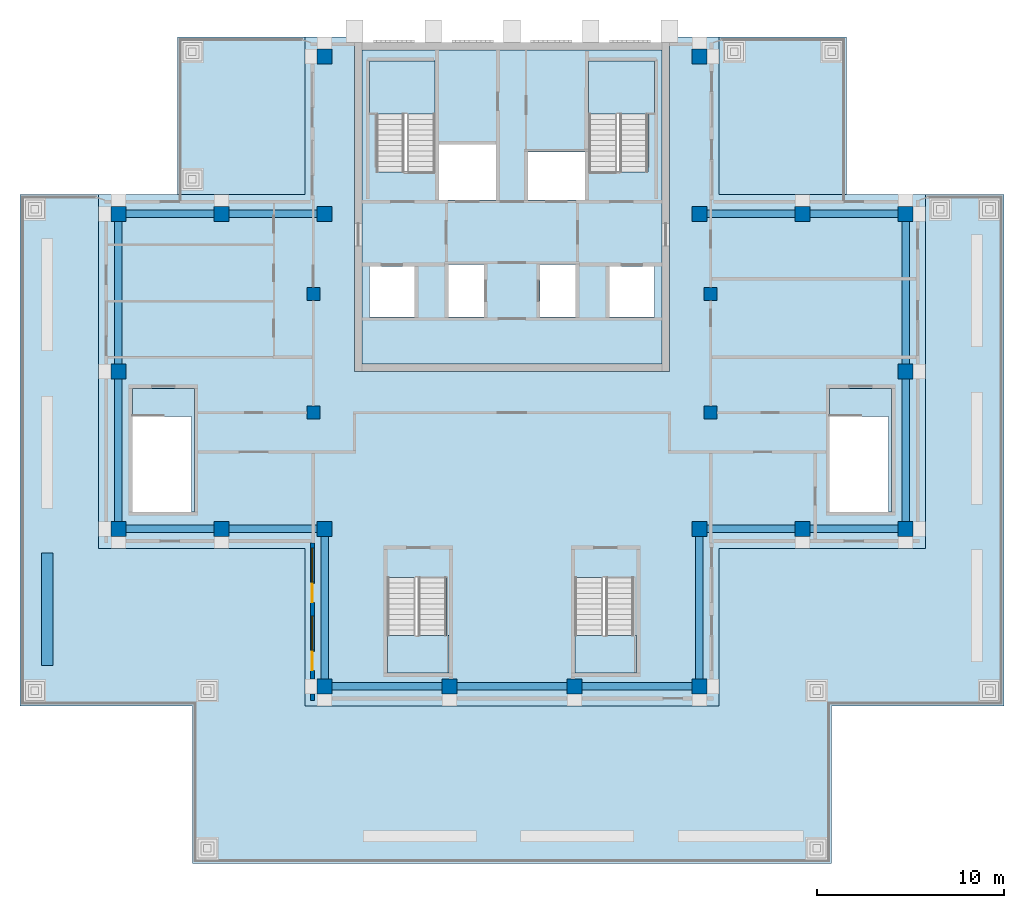
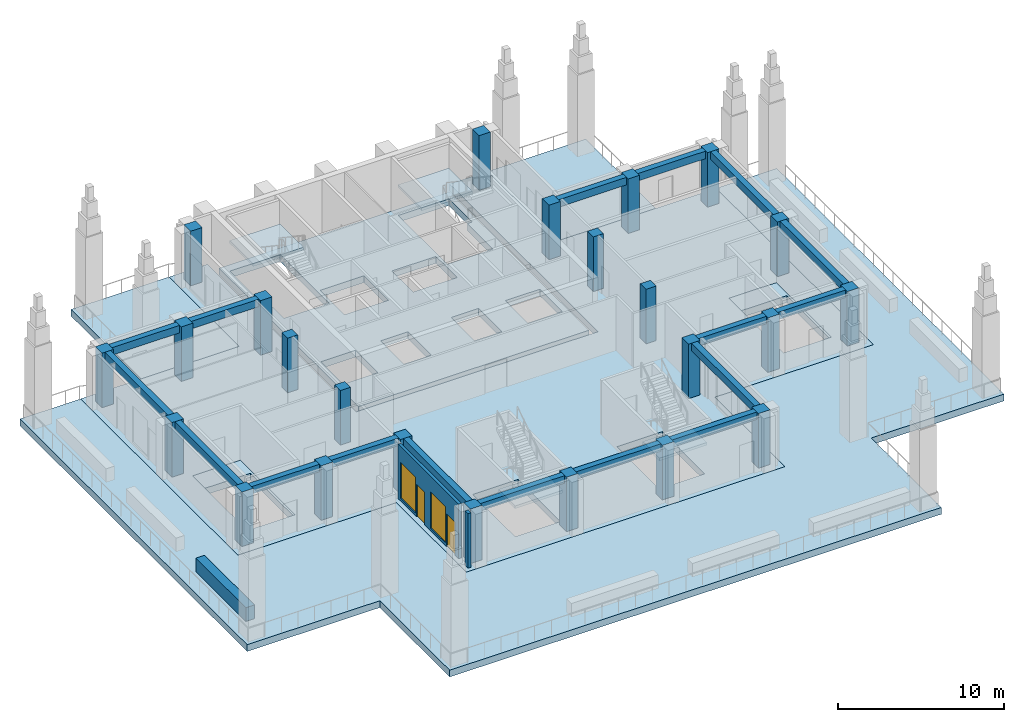
# One storey, part 1 of 10: 24 columns, 17 beams, 11 slabs, 3 walls, 2 doors, 2 windows, 4 openings, 4 elements without a shape of their own.
"""IFC4 building model written with IfcOpenShell, lengths in metres."""

import ifcopenshell
import ifcopenshell.guid

model = None  # the IFC model being written
_history = None  # IfcOwnerHistory: only IFC2X3 demands one
_inside = {}  # id of a spatial element -> (the spatial element, [elements in it])
_under = {}  # id of a project, library or spatial element -> (it, [spatial elements below it])
_declared = {}  # id of a project -> (the project, [libraries it declares])
_typed = {}  # id of a type object -> (the type object, [elements of that type])
_made_of = {}  # id of a material, layer set ... -> (it, [elements and type objects made of it])


def new_model(schema):
    """Start an empty IFC model of exactly this schema.

    Asked for "IFC4X3", IfcOpenShell would pick the latest addendum, in which some entities
    have other attributes; the version numbers below select the first issue.
    IFC2X3 requires an IfcOwnerHistory on every rooted entity: one is made here for all.
    """
    global model, _history
    if schema == "IFC4X3":
        model = ifcopenshell.file(schema_version=(4, 3, 0, 0))
    else:
        model = ifcopenshell.file(schema=schema)
    _inside.clear()
    _under.clear()
    _declared.clear()
    _typed.clear()
    _made_of.clear()
    _history = None
    if model.schema == "IFC2X3":
        org = make("IfcOrganization", Name="unknown")
        user = make(
            "IfcPersonAndOrganization",
            ThePerson=make("IfcPerson", FamilyName="unknown"),
            TheOrganization=org,
        )
        app = make(
            "IfcApplication",
            ApplicationDeveloper=org,
            Version="unknown",
            ApplicationFullName="unknown",
            ApplicationIdentifier="unknown",
        )
        _history = make(
            "IfcOwnerHistory",
            OwningUser=user,
            OwningApplication=app,
            ChangeAction="ADDED",
            CreationDate=0,
        )
    return model


def make(cls, **values):
    """One entity of the class cls with the attributes given. An attribute that is None is left unset."""
    return model.create_entity(
        cls, **{name: value for name, value in values.items() if value is not None}
    )


def rooted(cls, **values):
    """An entity with a GlobalId (a new one), such as an element, a storey or a relation."""
    return make(cls, GlobalId=ifcopenshell.guid.new(), OwnerHistory=_history, **values)


def si_unit(unit_type, name, prefix=None):
    """IfcSIUnit, for example si_unit("LENGTHUNIT", "METRE", prefix="MILLI")."""
    return make("IfcSIUnit", UnitType=unit_type, Prefix=prefix, Name=name)


def assignment(units):
    """IfcUnitAssignment: the units of a project."""
    return None if units is None else make("IfcUnitAssignment", Units=units)


def point(xyz):
    """IfcCartesianPoint."""
    return None if xyz is None else make("IfcCartesianPoint", Coordinates=xyz)


def direction(xyz):
    """IfcDirection."""
    return None if xyz is None else make("IfcDirection", DirectionRatios=xyz)


def frame(location, z_axis=None, x_axis=None):
    """IfcAxis2Placement3D, a coordinate frame: its origin and axes. An axis left out is left unset."""
    return make(
        "IfcAxis2Placement3D",
        Location=point(location),
        Axis=direction(z_axis),
        RefDirection=direction(x_axis),
    )


def frame_2d(location, x_axis=None):
    """IfcAxis2Placement2D, a coordinate frame in the plane: its origin and x axis."""
    return make(
        "IfcAxis2Placement2D", Location=point(location), RefDirection=direction(x_axis)
    )


def origin():
    """The frame at (0, 0, 0) with its axes left unset."""
    return frame((0.0, 0.0, 0.0))


def origin_2d():
    """The frame at (0, 0) in the plane with its x axis left unset."""
    return frame_2d((0.0, 0.0))


def place(relative_to, where):
    """IfcLocalPlacement: puts the frame where relative to a parent placement (None: the world)."""
    return make(
        "IfcLocalPlacement", PlacementRelTo=relative_to, RelativePlacement=where
    )


def context(
    kind, dimensions, precision=None, world=None, true_north=None, identifier=None
):
    """IfcGeometricRepresentationContext, for example the 3D "Model" context."""
    return make(
        "IfcGeometricRepresentationContext",
        ContextIdentifier=identifier,
        ContextType=kind,
        CoordinateSpaceDimension=dimensions,
        Precision=precision,
        WorldCoordinateSystem=world,
        TrueNorth=true_north,
    )


def subcontext(parent, identifier, kind, view, scale=None):
    """IfcGeometricRepresentationSubContext, for example "Body" below "Model"."""
    return make(
        "IfcGeometricRepresentationSubContext",
        ContextIdentifier=identifier,
        ContextType=kind,
        ParentContext=parent,
        TargetScale=scale,
        TargetView=view,
    )


def project(units=None, contexts=None):
    """IfcProject with its units and contexts."""
    return rooted(
        "IfcProject",
        Name="project",
        RepresentationContexts=contexts,
        UnitsInContext=assignment(units),
    )


def spatial(cls, under=None, at=None, **own):
    """A site, building, storey or space (cls), placed at a placement, below another one or the project."""
    s = rooted(cls, ObjectPlacement=at, **own)
    if under is not None:
        _under.setdefault(under.id(), (under, []))[1].append(s)
    return s


def polyline(points):
    """IfcPolyline through the points."""
    return make("IfcPolyline", Points=[point(p) for p in points])


def profile(cls, at=None, kind="AREA", **sizes):
    """A parametric profile (cls). Its sizes go by their IFC names, for example OverallWidth=200.0."""
    return make(cls, ProfileType=kind, Position=at, **sizes)


def rectangle(**sizes):
    """IfcRectangleProfileDef."""
    return profile("IfcRectangleProfileDef", **sizes)


def outline(outer, holes=None, kind="AREA"):
    """IfcArbitraryClosedProfileDef: a profile drawn as a closed curve; with holes, ...WithVoids."""
    if holes is None:
        return make("IfcArbitraryClosedProfileDef", ProfileType=kind, OuterCurve=outer)
    return make(
        "IfcArbitraryProfileDefWithVoids",
        ProfileType=kind,
        OuterCurve=outer,
        InnerCurves=holes,
    )


def extrude(swept, where, along, depth):
    """IfcExtrudedAreaSolid: the profile swept, set in the frame where, extruded along a direction by depth."""
    return make(
        "IfcExtrudedAreaSolid",
        SweptArea=swept,
        Position=where,
        ExtrudedDirection=direction(along),
        Depth=depth,
    )


def shape(context_of_items, identifier, shape_type, items):
    """IfcShapeRepresentation: the items that make up one representation, for example the "Body"."""
    return make(
        "IfcShapeRepresentation",
        ContextOfItems=context_of_items,
        RepresentationIdentifier=identifier,
        RepresentationType=shape_type,
        Items=items,
    )


def material(Name=None, Category=None):
    """IfcMaterial."""
    return make("IfcMaterial", Name=Name, Category=Category)


def layer(
    of_material, thickness, ventilated=None, Name=None, Category=None, Priority=None
):
    """IfcMaterialLayer: one layer of a wall or slab, of a material (None: an air gap)."""
    return make(
        "IfcMaterialLayer",
        Material=of_material,
        LayerThickness=thickness,
        IsVentilated=ventilated,
        Name=Name,
        Category=Category,
        Priority=Priority,
    )


def layer_set(layers, Name=None):
    """IfcMaterialLayerSet."""
    return make("IfcMaterialLayerSet", MaterialLayers=layers, LayerSetName=Name)


def material_profile(
    of_material, cross_section, Name=None, Category=None, Priority=None
):
    """IfcMaterialProfile: a cross section and its material."""
    return make(
        "IfcMaterialProfile",
        Name=Name,
        Material=of_material,
        Profile=cross_section,
        Priority=Priority,
        Category=Category,
    )


def profile_set(profiles, Name=None, composite=None):
    """IfcMaterialProfileSet."""
    return make(
        "IfcMaterialProfileSet",
        Name=Name,
        MaterialProfiles=profiles,
        CompositeProfile=composite,
    )


def made_of(thing, what):
    """Note that an element or type object is made of a material, layer set ...; save() writes the relation."""
    if what is not None:
        _made_of.setdefault(what.id(), (what, []))[1].append(thing)
    return thing


def type_object(cls, material=None, **own):
    """A type object (cls), such as IfcWallType, which elements share."""
    return made_of(rooted(cls, **own), material)


def element(
    cls,
    number,
    at=None,
    inside=None,
    cuts=None,
    type_object=None,
    material=None,
    context=None,
    identifier="Body",
    shape_type=None,
    held_by="IfcProductDefinitionShape",
    body=None,
    shapes=None,
    **own,
):
    """One element of the class cls, such as IfcWall. Its Tag is "e" and its number.

    at: its placement. inside: the storey or other place that contains it. cuts: it is an
    opening in that element (IfcRelVoidsElement). A single representation is given by context,
    identifier, shape_type and body (its items); several are given by shapes. held_by: the class
    of the entity that holds the representations. save() writes the other relations.
    """
    e = rooted(cls, Tag="e%d" % number, ObjectPlacement=at, **own)
    if body is not None:
        shapes = [shape(context, identifier, shape_type, body)]
    if shapes is not None:
        e.Representation = make(held_by, Representations=shapes)
    if inside is not None:
        _inside.setdefault(inside.id(), (inside, []))[1].append(e)
    if cuts is not None:
        rooted(
            "IfcRelVoidsElement", RelatingBuildingElement=cuts, RelatedOpeningElement=e
        )
    if type_object is not None:
        _typed.setdefault(type_object.id(), (type_object, []))[1].append(e)
    return made_of(e, material)


def fill(opening, filler):
    """IfcRelFillsElement: the door or window that sits in an opening."""
    return rooted(
        "IfcRelFillsElement",
        RelatingOpeningElement=opening,
        RelatedBuildingElement=filler,
    )


def aggregate(whole, parts):
    """IfcRelAggregates: a whole, such as a stair, and the parts it consists of."""
    return rooted("IfcRelAggregates", RelatingObject=whole, RelatedObjects=parts)


def save(model, path):
    """Write the relations noted so far, then the file.

    IfcRelAggregates (storeys below a building ...), IfcRelContainedInSpatialStructure (elements
    in a storey), IfcRelDefinesByType, IfcRelAssociatesMaterial and IfcRelDeclares: one each for
    every whole, place, type object, material and project.
    """
    for whole, parts in _under.values():
        aggregate(whole, parts)
    for where, things in _inside.values():
        rooted(
            "IfcRelContainedInSpatialStructure",
            RelatedElements=things,
            RelatingStructure=where,
        )
    for kind, things in _typed.values():
        rooted("IfcRelDefinesByType", RelatedObjects=things, RelatingType=kind)
    for what, things in _made_of.values():
        rooted("IfcRelAssociatesMaterial", RelatedObjects=things, RelatingMaterial=what)
    for by, libraries in _declared.values():
        rooted("IfcRelDeclares", RelatingContext=by, RelatedDefinitions=libraries)
    model.write(path)


model = new_model("IFC4")

# Units and contexts
model_context = context("Model", 3, precision=1e-05, world=origin(), true_north=direction((0.0, 1.0)))
body_context = subcontext(model_context, "Body", "Model", "MODEL_VIEW")
ifc_project = project(units=[si_unit("LENGTHUNIT", "METRE"), si_unit("AREAUNIT", "SQUARE_METRE"), si_unit("VOLUMEUNIT", "CUBIC_METRE"), si_unit("PLANEANGLEUNIT", "RADIAN"), si_unit("MASSUNIT", "GRAM", prefix="KILO")], contexts=[model_context])

# Site, building, storey
site_placement = place(None, origin())
site = spatial("IfcSite", under=ifc_project, at=site_placement, CompositionType="ELEMENT")
building_placement = place(site_placement, origin())
building = spatial("IfcBuilding", under=site, at=building_placement, Name="Vermilion Ogive Tower", CompositionType="ELEMENT")
storey_placement = place(building_placement, frame((0.0, 0.0, 269.35009765625)))
storey = spatial("IfcBuildingStorey", under=building, at=storey_placement, Name="L71", CompositionType="ELEMENT", Elevation=269.35009765625)

# Columns
ifc_material_1 = material(Name="Concrete B45", Category="concrete")
ifc_material_profile_1 = material_profile(ifc_material_1, rectangle(XDim=0.800048828125, YDim=0.800048828125, at=origin_2d()), Name="800 x 800")
ifc_profile_set_1 = profile_set([ifc_material_profile_1], Name="Concrete B45")
column_type_1 = type_object("IfcColumnType", Name="Perimeter column 800 x 800 B45", PredefinedType="COLUMN", material=ifc_profile_set_1)
for number, where, z_axis, x_axis, name in (
    (1, (-10.0, -12.60009765625, -0.5), (0.0, 0.0, 1.0), (1.0, 0.0, 0.0), "COL-L71-P-0100-126"),
    (2, (-3.333251953125, -12.60009765625, -0.5), (0.0, 0.0, 1.0), (1.0, 0.0, 0.0), "COL-L71-P-0033-126"),
    (3, (3.333251953125, -12.60009765625, -0.5), (0.0, 0.0, 1.0), (1.0, 0.0, 0.0), "COL-L71-P+0033-126"),
    (4, (10.0, -12.60009765625, -0.5), (0.0, 0.0, 1.0), (1.0, 0.0, 0.0), "COL-L71-P+0100-126"),
    (5, (-21.0, -4.199951171875, -0.5), (0.0, 0.0, 1.0), (1.0, 0.0, 0.0), "COL-L71-P-0210-042"),
    (6, (-15.5, -4.199951171875, -0.5), (0.0, 0.0, 1.0), (1.0, 0.0, 0.0), "COL-L71-P-0155-042"),
    (7, (-10.0, -4.199951171875, -0.5), (0.0, 0.0, 1.0), (1.0, 0.0, 0.0), "COL-L71-P-0100-042"),
    (8, (10.0, -4.199951171875, -0.5), (0.0, 0.0, 1.0), (1.0, 0.0, 0.0), "COL-L71-P+0100-042"),
    (9, (15.5, -4.199951171875, -0.5), (0.0, 0.0, 1.0), (1.0, 0.0, 0.0), "COL-L71-P+0155-042"),
    (10, (21.0, -4.199951171875, -0.5), (0.0, 0.0, 1.0), (1.0, 0.0, 0.0), "COL-L71-P+0210-042"),
    (11, (-21.0, 4.199951171875, -0.5), (0.0, 0.0, 1.0), (1.0, 0.0, 0.0), "COL-L71-P-0210+042"),
    (12, (21.0, 4.199951171875, -0.5), (0.0, 0.0, 1.0), (1.0, 0.0, 0.0), "COL-L71-P+0210+042"),
    (13, (-21.0, 12.60009765625, -0.5), (0.0, 0.0, 1.0), (1.0, 0.0, 0.0), "COL-L71-P-0210+126"),
    (14, (-15.5, 12.60009765625, -0.5), (0.0, 0.0, 1.0), (1.0, 0.0, 0.0), "COL-L71-P-0155+126"),
    (15, (-10.0, 12.60009765625, -0.5), (0.0, 0.0, 1.0), (1.0, 0.0, 0.0), "COL-L71-P-0100+126"),
    (16, (10.0, 12.60009765625, -0.5), (0.0, 0.0, 1.0), (1.0, 0.0, 0.0), "COL-L71-P+0100+126"),
    (17, (15.5, 12.60009765625, -0.5), (0.0, 0.0, 1.0), (1.0, 0.0, 0.0), "COL-L71-P+0155+126"),
    (18, (21.0, 12.60009765625, -0.5), (0.0, 0.0, 1.0), (1.0, 0.0, 0.0), "COL-L71-P+0210+126"),
    (19, (-10.0, 21.0, -0.5), (0.0, 0.0, 1.0), (1.0, 0.0, 0.0), "COL-L71-P-0100+210"),
    (20, (10.0, 21.0, -0.5), (0.0, 0.0, 1.0), (1.0, 0.0, 0.0), "COL-L71-P+0100+210"),
):
    element("IfcColumn", number, at=place(storey_placement, frame(where, z_axis=z_axis, x_axis=x_axis)), inside=storey, type_object=column_type_1, Name=name, PredefinedType="COLUMN", context=body_context, shape_type="SweptSolid", body=[
        extrude(rectangle(XDim=0.800048828125, YDim=0.800048828125, at=origin_2d()), origin(), (0.0, 0.0, 1.0), 4.5),
    ])
ifc_material_2 = material(Name="Concrete B45", Category="concrete")
ifc_material_profile_2 = material_profile(ifc_material_2, rectangle(XDim=0.699951171875, YDim=0.699951171875, at=origin_2d()), Name="700 x 700")
ifc_profile_set_2 = profile_set([ifc_material_profile_2], Name="Concrete B45")
column_type_2 = type_object("IfcColumnType", Name="Ring column 700 x 700 B45", PredefinedType="COLUMN", material=ifc_profile_set_2)
for number, where, z_axis, x_axis, name in (
    (21, (-10.60009765625, 2.0, -0.5), (0.0, 0.0, 1.0), (1.0, 0.0, 0.0), "COL-L71-R-0106+020"),
    (22, (10.60009765625, 2.0, -0.5), (0.0, 0.0, 1.0), (1.0, 0.0, 0.0), "COL-L71-R+0106+020"),
    (23, (-10.60009765625, 8.333251953125, -0.5), (0.0, 0.0, 1.0), (1.0, 0.0, 0.0), "COL-L71-R-0106+083"),
    (24, (10.60009765625, 8.333251953125, -0.5), (0.0, 0.0, 1.0), (1.0, 0.0, 0.0), "COL-L71-R+0106+083"),
):
    element("IfcColumn", number, at=place(storey_placement, frame(where, z_axis=z_axis, x_axis=x_axis)), inside=storey, type_object=column_type_2, Name=name, PredefinedType="COLUMN", context=body_context, shape_type="SweptSolid", body=[
        extrude(rectangle(XDim=0.699951171875, YDim=0.699951171875, at=origin_2d()), origin(), (0.0, 0.0, 1.0), 4.5),
    ])

# Beams
ifc_material_3 = material(Name="Concrete B45", Category="concrete")
ifc_material_profile_3 = material_profile(ifc_material_3, rectangle(XDim=0.39990234375, YDim=0.550048828125, at=origin_2d()), Name="400 x 550")
ifc_profile_set_3 = profile_set([ifc_material_profile_3], Name="Concrete B45")
beam_type = type_object("IfcBeamType", Name="Edge beam 400 x 550 B45", PredefinedType="BEAM", material=ifc_profile_set_3)
for number, where, z_axis, x_axis, name in (
    (25, (-9.60009765625, -12.60009765625, 3.724853515625), (1.0, 0.0, 0.0), (0.0, 1.0, 0.0), "L71-EB-1"),
    (26, (-2.933349609375, -12.60009765625, 3.724853515625), (1.0, 0.0, 0.0), (0.0, 1.0, 0.0), "L71-EB-2"),
    (27, (3.7333984375, -12.60009765625, 3.724853515625), (1.0, 0.0, 0.0), (0.0, 1.0, 0.0), "L71-EB-3"),
):
    element("IfcBeam", number, at=place(storey_placement, frame(where, z_axis=z_axis, x_axis=x_axis)), inside=storey, type_object=beam_type, Name=name, PredefinedType="BEAM", context=body_context, shape_type="SweptSolid", body=[
        extrude(rectangle(XDim=0.39990234375, YDim=0.550048828125, at=origin_2d()), origin(), (0.0, 0.0, 1.0), 5.86669921875),
    ])
beam_1_placement = place(storey_placement, frame((10.0, -12.199951171875, 3.724853515625), z_axis=(0.0, 1.0, 0.0), x_axis=(-1.0, 0.0, 0.0)))
element("IfcBeam", 28, at=beam_1_placement, inside=storey, type_object=beam_type, Name="L71-EB-4", PredefinedType="BEAM", context=body_context, shape_type="SweptSolid", body=[
    extrude(rectangle(XDim=0.39990234375, YDim=0.550048828125, at=origin_2d()), origin(), (0.0, 0.0, 1.0), 7.599853515625),
])
for number, where, z_axis, x_axis, name in (
    (29, (10.39990234375, -4.199951171875, 3.724853515625), (1.0, 0.0, 0.0), (0.0, 1.0, 0.0), "L71-EB-5"),
    (30, (15.89990234375, -4.199951171875, 3.724853515625), (1.0, 0.0, 0.0), (0.0, 1.0, 0.0), "L71-EB-6"),
):
    element("IfcBeam", number, at=place(storey_placement, frame(where, z_axis=z_axis, x_axis=x_axis)), inside=storey, type_object=beam_type, Name=name, PredefinedType="BEAM", context=body_context, shape_type="SweptSolid", body=[
        extrude(rectangle(XDim=0.39990234375, YDim=0.550048828125, at=origin_2d()), origin(), (0.0, 0.0, 1.0), 4.7001953125),
    ])
beam_2_placement = place(storey_placement, frame((21.0, -3.800048828125, 3.724853515625), z_axis=(0.0, 1.0, 0.0), x_axis=(-1.0, 0.0, 0.0)))
element("IfcBeam", 31, at=beam_2_placement, inside=storey, type_object=beam_type, Name="L71-EB-7", PredefinedType="BEAM", context=body_context, shape_type="SweptSolid", body=[
    extrude(rectangle(XDim=0.39990234375, YDim=0.550048828125, at=origin_2d()), origin(), (0.0, 0.0, 1.0), 7.60009765625),
])
beam_3_placement = place(storey_placement, frame((21.0, 4.60009765625, 3.724853515625), z_axis=(0.0, 1.0, 0.0), x_axis=(-1.0, 0.0, 0.0)))
element("IfcBeam", 32, at=beam_3_placement, inside=storey, type_object=beam_type, Name="L71-EB-8", PredefinedType="BEAM", context=body_context, shape_type="SweptSolid", body=[
    extrude(rectangle(XDim=0.39990234375, YDim=0.550048828125, at=origin_2d()), origin(), (0.0, 0.0, 1.0), 7.599853515625),
])
for number, where, z_axis, x_axis, name in (
    (33, (20.60009765625, 12.60009765625, 3.724853515625), (-1.0, 0.0, 0.0), (0.0, -1.0, 0.0), "L71-EB-9"),
    (34, (15.10009765625, 12.60009765625, 3.724853515625), (-1.0, 0.0, 0.0), (0.0, -1.0, 0.0), "L71-EB-10"),
    (35, (-10.39990234375, 12.60009765625, 3.724853515625), (-1.0, 0.0, 0.0), (0.0, -1.0, 0.0), "L71-EB-11"),
    (36, (-15.89990234375, 12.60009765625, 3.724853515625), (-1.0, 0.0, 0.0), (0.0, -1.0, 0.0), "L71-EB-12"),
):
    element("IfcBeam", number, at=place(storey_placement, frame(where, z_axis=z_axis, x_axis=x_axis)), inside=storey, type_object=beam_type, Name=name, PredefinedType="BEAM", context=body_context, shape_type="SweptSolid", body=[
        extrude(rectangle(XDim=0.39990234375, YDim=0.550048828125, at=origin_2d()), origin(), (0.0, 0.0, 1.0), 4.7001953125),
    ])
beam_4_placement = place(storey_placement, frame((-21.0, 12.199951171875, 3.724853515625), z_axis=(0.0, -1.0, 0.0), x_axis=(1.0, 0.0, 0.0)))
element("IfcBeam", 37, at=beam_4_placement, inside=storey, type_object=beam_type, Name="L71-EB-13", PredefinedType="BEAM", context=body_context, shape_type="SweptSolid", body=[
    extrude(rectangle(XDim=0.39990234375, YDim=0.550048828125, at=origin_2d()), origin(), (0.0, 0.0, 1.0), 7.599853515625),
])
beam_5_placement = place(storey_placement, frame((-21.0, 3.800048828125, 3.724853515625), z_axis=(0.0, -1.0, 0.0), x_axis=(1.0, 0.0, 0.0)))
element("IfcBeam", 38, at=beam_5_placement, inside=storey, type_object=beam_type, Name="L71-EB-14", PredefinedType="BEAM", context=body_context, shape_type="SweptSolid", body=[
    extrude(rectangle(XDim=0.39990234375, YDim=0.550048828125, at=origin_2d()), origin(), (0.0, 0.0, 1.0), 7.60009765625),
])
for number, where, z_axis, x_axis, name in (
    (39, (-20.60009765625, -4.199951171875, 3.724853515625), (1.0, 0.0, 0.0), (0.0, 1.0, 0.0), "L71-EB-15"),
    (40, (-15.10009765625, -4.199951171875, 3.724853515625), (1.0, 0.0, 0.0), (0.0, 1.0, 0.0), "L71-EB-16"),
):
    element("IfcBeam", number, at=place(storey_placement, frame(where, z_axis=z_axis, x_axis=x_axis)), inside=storey, type_object=beam_type, Name=name, PredefinedType="BEAM", context=body_context, shape_type="SweptSolid", body=[
        extrude(rectangle(XDim=0.39990234375, YDim=0.550048828125, at=origin_2d()), origin(), (0.0, 0.0, 1.0), 4.7001953125),
    ])
beam_6_placement = place(storey_placement, frame((-10.0, -4.60009765625, 3.724853515625), z_axis=(0.0, -1.0, 0.0), x_axis=(1.0, 0.0, 0.0)))
element("IfcBeam", 41, at=beam_6_placement, inside=storey, type_object=beam_type, Name="L71-EB-17", PredefinedType="BEAM", context=body_context, shape_type="SweptSolid", body=[
    extrude(rectangle(XDim=0.39990234375, YDim=0.550048828125, at=origin_2d()), origin(), (0.0, 0.0, 1.0), 7.599853515625),
])

# Slabs
ifc_material_4 = material(Name="Concrete B40", Category="concrete")
ifc_layer_1 = layer(ifc_material_4, 0.5)
ifc_layer_set_1 = layer_set([ifc_layer_1], Name="Core floor slab 500 B40")
slab_type_1 = type_object("IfcSlabType", Name="Core floor slab 500 B40", PredefinedType="FLOOR", material=ifc_layer_set_1)
slab_1_placement = place(storey_placement, frame((0.0, 0.0, -0.5)))
element("IfcSlab", 42, at=slab_1_placement, inside=storey, type_object=slab_type_1, Name="L71-CK-FS1", PredefinedType="FLOOR", context=body_context, shape_type="SweptSolid", body=[
    extrude(outline(polyline([(-7.99609375, 4.60400390625), (7.99609375, 4.60400390625), (7.99609375, 21.345947265625), (-7.99609375, 21.345947265625), (-7.99609375, 4.60400390625)]), holes=[polyline([(-7.60009765625, 7.10009765625), (-7.60009765625, 9.800048828125), (-5.199951171875, 9.800048828125), (-5.199951171875, 7.10009765625), (-7.60009765625, 7.10009765625)]), polyline([(-3.39990234375, 7.10009765625), (-3.39990234375, 9.89990234375), (-1.5, 9.89990234375), (-1.5, 7.10009765625), (-3.39990234375, 7.10009765625)]), polyline([(-7.60009765625, 17.929931640625), (-7.60009765625, 20.75), (-4.10009765625, 20.75), (-4.10009765625, 14.85205078125), (-5.60009765625, 14.85205078125), (-5.60009765625, 14.85009765625), (-5.75, 14.85009765625), (-5.75, 14.85205078125), (-7.25, 14.85205078125), (-7.25, 17.929931640625), (-7.60009765625, 17.929931640625)]), polyline([(5.199951171875, 7.10009765625), (5.199951171875, 9.800048828125), (7.60009765625, 9.800048828125), (7.60009765625, 7.10009765625), (5.199951171875, 7.10009765625)]), polyline([(1.5, 7.10009765625), (1.5, 9.89990234375), (3.39990234375, 9.89990234375), (3.39990234375, 7.10009765625), (1.5, 7.10009765625)]), polyline([(0.85009765625, 13.35009765625), (0.85009765625, 15.89990234375), (3.89990234375, 15.89990234375), (3.89990234375, 13.35009765625), (0.85009765625, 13.35009765625)]), polyline([(-3.89990234375, 13.35009765625), (-3.89990234375, 16.300048828125), (-0.85009765625, 16.300048828125), (-0.85009765625, 13.35009765625), (-3.89990234375, 13.35009765625)]), polyline([(5.75, 14.85009765625), (5.60009765625, 14.85009765625), (5.60009765625, 14.85205078125), (4.10009765625, 14.85205078125), (4.10009765625, 17.929931640625), (4.074951171875, 17.929931640625), (4.074951171875, 20.75), (7.60009765625, 20.75), (7.60009765625, 17.929931640625), (7.25, 17.929931640625), (7.25, 14.85205078125), (5.75, 14.85205078125), (5.75, 14.85009765625)])]), origin(), (0.0, 0.0, 1.0), 0.5),
])
slab_2_placement = place(storey_placement, frame((0.0, 0.0, -0.5)))
element("IfcSlab", 43, at=slab_2_placement, inside=storey, type_object=slab_type_1, Name="L71-SF-ST8-1", PredefinedType="FLOOR", context=body_context, shape_type="SweptSolid", body=[
    extrude(outline(polyline([(20.25, 3.300048828125), (16.949951171875, 3.300048828125), (16.949951171875, 1.800048828125), (18.60009765625, 1.800048828125), (18.60009765625, 1.798095703125), (20.10009765625, 1.798095703125), (20.10009765625, -3.300048828125), (20.25, -3.300048828125), (20.25, 3.300048828125)])), origin(), (0.0, 0.0, 1.0), 0.5),
])
slab_3_placement = place(storey_placement, frame((0.0, 0.0, -0.5)))
element("IfcSlab", 44, at=slab_3_placement, inside=storey, type_object=slab_type_1, Name="L71-SF-ST9-1", PredefinedType="FLOOR", context=body_context, shape_type="SweptSolid", body=[
    extrude(outline(polyline([(-16.949951171875, 3.300048828125), (-20.25, 3.300048828125), (-20.25, 1.800048828125), (-18.60009765625, 1.800048828125), (-18.60009765625, 1.798095703125), (-17.10009765625, 1.798095703125), (-17.10009765625, -3.300048828125), (-16.949951171875, -3.300048828125), (-16.949951171875, 3.300048828125)])), origin(), (0.0, 0.0, 1.0), 0.5),
])
ifc_material_5 = material(Name="Concrete B45", Category="concrete")
ifc_layer_2 = layer(ifc_material_5, 0.5)
ifc_layer_set_2 = layer_set([ifc_layer_2], Name="Post-tensioned flat plate 500 B45")
slab_type_2 = type_object("IfcSlabType", Name="Post-tensioned flat plate 500 B45", PredefinedType="FLOOR", material=ifc_layer_set_2)
slab_4_placement = place(storey_placement, frame((0.0, 0.0, -0.5)))
element("IfcSlab", 45, at=slab_4_placement, inside=storey, type_object=slab_type_2, Name="L71-SL-1", PredefinedType="FLOOR", context=body_context, shape_type="SweptSolid", body=[
    extrude(outline(polyline([(-22.050048828125, 13.64990234375), (-22.050048828125, -5.25), (-11.050048828125, -5.25), (-11.050048828125, -13.64990234375), (11.050048828125, -13.64990234375), (11.050048828125, -5.25), (22.050048828125, -5.25), (22.050048828125, 13.64990234375), (11.050048828125, 13.64990234375), (11.050048828125, 22.050048828125), (8.39990234375, 22.050048828125), (8.39990234375, 4.199951171875), (-8.39990234375, 4.199951171875), (-8.39990234375, 22.050048828125), (-11.050048828125, 22.050048828125), (-11.050048828125, 13.64990234375), (-22.050048828125, 13.64990234375)]), holes=[polyline([(20.60009765625, 13.0), (21.39990234375, 13.0), (21.39990234375, 12.199951171875), (20.60009765625, 12.199951171875), (20.60009765625, 13.0)]), polyline([(20.60009765625, 4.60009765625), (21.39990234375, 4.60009765625), (21.39990234375, 3.800048828125), (20.60009765625, 3.800048828125), (20.60009765625, 4.60009765625)]), polyline([(20.60009765625, -3.800048828125), (21.39990234375, -3.800048828125), (21.39990234375, -4.60009765625), (20.60009765625, -4.60009765625), (20.60009765625, -3.800048828125)]), polyline([(16.949951171875, 3.300048828125), (20.25, 3.300048828125), (20.25, -3.300048828125), (16.949951171875, -3.300048828125), (16.949951171875, 3.300048828125)]), polyline([(15.10009765625, 13.0), (15.89990234375, 13.0), (15.89990234375, 12.199951171875), (15.10009765625, 12.199951171875), (15.10009765625, 13.0)]), polyline([(15.10009765625, -3.800048828125), (15.89990234375, -3.800048828125), (15.89990234375, -4.60009765625), (15.10009765625, -4.60009765625), (15.10009765625, -3.800048828125)]), polyline([(10.25, 8.683349609375), (10.949951171875, 8.683349609375), (10.949951171875, 7.9833984375), (10.25, 7.9833984375), (10.25, 8.683349609375)]), polyline([(10.25, 2.35009765625), (10.949951171875, 2.35009765625), (10.949951171875, 1.64990234375), (10.25, 1.64990234375), (10.25, 2.35009765625)]), polyline([(9.60009765625, 13.0), (10.39990234375, 13.0), (10.39990234375, 12.199951171875), (9.60009765625, 12.199951171875), (9.60009765625, 13.0)]), polyline([(9.60009765625, -3.800048828125), (10.39990234375, -3.800048828125), (10.39990234375, -4.60009765625), (9.60009765625, -4.60009765625), (9.60009765625, -3.800048828125)]), polyline([(9.60009765625, -12.199951171875), (10.39990234375, -12.199951171875), (10.39990234375, -13.0), (9.60009765625, -13.0), (9.60009765625, -12.199951171875)]), polyline([(10.39990234375, 21.39990234375), (10.39990234375, 20.60009765625), (9.60009765625, 20.60009765625), (9.60009765625, 21.39990234375), (10.39990234375, 21.39990234375)]), polyline([(2.933349609375, -12.199951171875), (3.7333984375, -12.199951171875), (3.7333984375, -13.0), (2.933349609375, -13.0), (2.933349609375, -12.199951171875)]), polyline([(-3.7333984375, -12.199951171875), (-2.933349609375, -12.199951171875), (-2.933349609375, -13.0), (-3.7333984375, -13.0), (-3.7333984375, -12.199951171875)]), polyline([(-10.39990234375, 21.39990234375), (-9.60009765625, 21.39990234375), (-9.60009765625, 20.60009765625), (-10.39990234375, 20.60009765625), (-10.39990234375, 21.39990234375)]), polyline([(-10.39990234375, 13.0), (-9.60009765625, 13.0), (-9.60009765625, 12.199951171875), (-10.39990234375, 12.199951171875), (-10.39990234375, 13.0)]), polyline([(-10.39990234375, -3.800048828125), (-9.60009765625, -3.800048828125), (-9.60009765625, -4.60009765625), (-10.39990234375, -4.60009765625), (-10.39990234375, -3.800048828125)]), polyline([(-10.39990234375, -12.199951171875), (-9.60009765625, -12.199951171875), (-9.60009765625, -13.0), (-10.39990234375, -13.0), (-10.39990234375, -12.199951171875)]), polyline([(-10.949951171875, 8.683349609375), (-10.25, 8.683349609375), (-10.25, 7.9833984375), (-10.949951171875, 7.9833984375), (-10.949951171875, 8.683349609375)]), polyline([(-10.949951171875, 2.35009765625), (-10.25, 2.35009765625), (-10.25, 1.64990234375), (-10.949951171875, 1.64990234375), (-10.949951171875, 2.35009765625)]), polyline([(-15.89990234375, 13.0), (-15.10009765625, 13.0), (-15.10009765625, 12.199951171875), (-15.89990234375, 12.199951171875), (-15.89990234375, 13.0)]), polyline([(-15.89990234375, -3.800048828125), (-15.10009765625, -3.800048828125), (-15.10009765625, -4.60009765625), (-15.89990234375, -4.60009765625), (-15.89990234375, -3.800048828125)]), polyline([(-20.25, 3.300048828125), (-16.949951171875, 3.300048828125), (-16.949951171875, -3.300048828125), (-20.25, -3.300048828125), (-20.25, 3.300048828125)]), polyline([(-21.39990234375, -3.800048828125), (-20.60009765625, -3.800048828125), (-20.60009765625, -4.60009765625), (-21.39990234375, -4.60009765625), (-21.39990234375, -3.800048828125)]), polyline([(-21.39990234375, 13.0), (-20.60009765625, 13.0), (-20.60009765625, 12.199951171875), (-21.39990234375, 12.199951171875), (-21.39990234375, 13.0)]), polyline([(-21.39990234375, 4.60009765625), (-20.60009765625, 4.60009765625), (-20.60009765625, 3.800048828125), (-21.39990234375, 3.800048828125), (-21.39990234375, 4.60009765625)]), polyline([(6.49951171875, -11.89990234375), (3.35009765625, -11.89990234375), (3.35009765625, -6.802001953125), (4.85009765625, -6.802001953125), (4.85009765625, -6.800537109375), (6.49951171875, -6.800537109375), (6.49951171875, -11.89990234375)]), polyline([(-6.64990234375, -11.89990234375), (-6.64990234375, -6.802001953125), (-5.14990234375, -6.802001953125), (-5.14990234375, -6.800537109375), (-3.50048828125, -6.800537109375), (-3.50048828125, -11.89990234375), (-6.64990234375, -11.89990234375)])]), origin(), (0.0, 0.0, 1.0), 0.5),
])
slab_5_placement = place(storey_placement, frame((0.0, 0.0, -0.5)))
element("IfcSlab", 46, at=slab_5_placement, inside=storey, type_object=slab_type_2, Name="L71-TR-1", PredefinedType="FLOOR", context=body_context, shape_type="SweptSolid", body=[
    extrude(outline(polyline([(-26.25, -13.64990234375), (-26.25, 13.64990234375), (-22.050048828125, 13.64990234375), (-22.050048828125, -5.25), (-11.050048828125, -5.25), (-11.050048828125, -13.64990234375), (11.050048828125, -13.64990234375), (11.050048828125, -5.25), (22.050048828125, -5.25), (22.050048828125, 13.64990234375), (26.25, 13.64990234375), (26.25, -13.64990234375), (17.050048828125, -13.64990234375), (17.050048828125, -22.050048828125), (-17.050048828125, -22.050048828125), (-17.050048828125, -13.64990234375), (-26.25, -13.64990234375)])), origin(), (0.0, 0.0, 1.0), 0.5),
])
slab_6_placement = place(storey_placement, frame((0.0, 0.0, -0.5)))
element("IfcSlab", 47, at=slab_6_placement, inside=storey, type_object=slab_type_2, Name="L71-TR-2", PredefinedType="FLOOR", context=body_context, shape_type="SweptSolid", body=[
    extrude(outline(polyline([(17.85009765625, 13.64990234375), (11.050048828125, 13.64990234375), (11.050048828125, 22.050048828125), (17.85009765625, 22.050048828125), (17.85009765625, 13.64990234375)])), origin(), (0.0, 0.0, 1.0), 0.5),
])
slab_7_placement = place(storey_placement, frame((0.0, 0.0, -0.5)))
element("IfcSlab", 48, at=slab_7_placement, inside=storey, type_object=slab_type_2, Name="L71-TR-3", PredefinedType="FLOOR", context=body_context, shape_type="SweptSolid", body=[
    extrude(outline(polyline([(-11.050048828125, 22.050048828125), (-11.050048828125, 13.64990234375), (-17.85009765625, 13.64990234375), (-17.85009765625, 22.050048828125), (-11.050048828125, 22.050048828125)])), origin(), (0.0, 0.0, 1.0), 0.5),
])

# Stair, slab
ifc_material_6 = material(Name="Concrete B40", Category="concrete")
stair_type = type_object("IfcStairType", Name="Exit stair 1500", PredefinedType="HALF_TURN_STAIR", material=ifc_material_6)
stair_1_placement = place(storey_placement, origin())
stair_1 = element("IfcStair", 49, at=stair_1_placement, inside=storey, type_object=stair_type, Name="L71 Exit Stair ST1", PredefinedType="HALF_TURN_STAIR")
ifc_material_7 = material(Name="Concrete B40", Category="concrete")
ifc_layer_3 = layer(ifc_material_7, 0.199951171875)
ifc_layer_set_3 = layer_set([ifc_layer_3], Name="Stair landing 200")
slab_type_3 = type_object("IfcSlabType", Name="Stair landing 200", PredefinedType="LANDING", material=ifc_layer_set_3)
slab_8_placement = place(storey_placement, frame((0.0, 0.0, 2.0498046875)))
slab_8 = element("IfcSlab", 50, at=slab_8_placement, type_object=slab_type_3, Name="ST1 landing 1", PredefinedType="LANDING", context=body_context, shape_type="SweptSolid", body=[
    extrude(outline(polyline([(-7.60009765625, 17.929931640625), (-7.25, 17.929931640625), (-7.25, 17.927978515625), (-5.75, 17.927978515625), (-5.75, 17.929931640625), (-5.60009765625, 17.929931640625), (-5.60009765625, 17.927978515625), (-4.10009765625, 17.927978515625), (-4.10009765625, 20.75), (-7.60009765625, 20.75), (-7.60009765625, 17.929931640625)])), origin(), (0.0, 0.0, 1.0), 0.2001953125),
])
aggregate(stair_1, [slab_8])

stair_2_placement = place(storey_placement, origin())
stair_2 = element("IfcStair", 51, at=stair_2_placement, inside=storey, type_object=stair_type, Name="L71 Exit Stair ST2", PredefinedType="HALF_TURN_STAIR")
slab_9_placement = place(storey_placement, frame((0.0, 0.0, 2.0498046875)))
slab_9 = element("IfcSlab", 52, at=slab_9_placement, type_object=slab_type_3, Name="ST2 landing 1", PredefinedType="LANDING", context=body_context, shape_type="SweptSolid", body=[
    extrude(outline(polyline([(5.60009765625, 17.929931640625), (5.75, 17.929931640625), (5.75, 17.927978515625), (7.25, 17.927978515625), (7.25, 17.929931640625), (7.60009765625, 17.929931640625), (7.60009765625, 20.75), (4.074951171875, 20.75), (4.074951171875, 17.929931640625), (4.10009765625, 17.929931640625), (4.10009765625, 17.927978515625), (5.60009765625, 17.927978515625), (5.60009765625, 17.929931640625)])), origin(), (0.0, 0.0, 1.0), 0.2001953125),
])
aggregate(stair_2, [slab_9])

stair_3_placement = place(storey_placement, origin())
stair_3 = element("IfcStair", 53, at=stair_3_placement, inside=storey, type_object=stair_type, Name="L71 Exit Stair ST6", PredefinedType="HALF_TURN_STAIR")
slab_10_placement = place(storey_placement, frame((0.0, 0.0, 2.0498046875)))
slab_10 = element("IfcSlab", 54, at=slab_10_placement, type_object=slab_type_3, Name="ST6 landing 1", PredefinedType="LANDING", context=body_context, shape_type="SweptSolid", body=[
    extrude(outline(polyline([(6.64990234375, -9.8798828125), (6.5, -9.8798828125), (6.5, -9.8779296875), (5.0, -9.8779296875), (5.0, -9.8798828125), (4.85009765625, -9.8798828125), (4.85009765625, -9.8779296875), (3.35009765625, -9.8779296875), (3.35009765625, -11.89990234375), (6.64990234375, -11.89990234375), (6.64990234375, -9.8798828125)])), origin(), (0.0, 0.0, 1.0), 0.2001953125),
])
aggregate(stair_3, [slab_10])

stair_4_placement = place(storey_placement, origin())
stair_4 = element("IfcStair", 55, at=stair_4_placement, inside=storey, type_object=stair_type, Name="L71 Exit Stair ST7", PredefinedType="HALF_TURN_STAIR")
slab_11_placement = place(storey_placement, frame((0.0, 0.0, 2.0498046875)))
slab_11 = element("IfcSlab", 56, at=slab_11_placement, type_object=slab_type_3, Name="ST7 landing 1", PredefinedType="LANDING", context=body_context, shape_type="SweptSolid", body=[
    extrude(outline(polyline([(-3.35009765625, -9.8798828125), (-3.5, -9.8798828125), (-3.5, -9.8779296875), (-5.0, -9.8779296875), (-5.0, -9.8798828125), (-5.14990234375, -9.8798828125), (-5.14990234375, -9.8779296875), (-6.64990234375, -9.8779296875), (-6.64990234375, -11.89990234375), (-3.35009765625, -11.89990234375), (-3.35009765625, -9.8798828125)])), origin(), (0.0, 0.0, 1.0), 0.2001953125),
])
aggregate(stair_4, [slab_11])

# Wall
ifc_material_8 = material(Name="Concrete B40", Category="concrete")
ifc_layer_4 = layer(ifc_material_8, 0.60009765625)
ifc_layer_set_4 = layer_set([ifc_layer_4], Name="Terrace planter")
wall_type_1 = type_object("IfcWallType", Name="Terrace planter", PredefinedType="USERDEFINED", material=ifc_layer_set_4)
wall_1_placement = place(storey_placement, frame((-24.800048828125, -11.5, 0.0), z_axis=(0.0, 0.0, 1.0), x_axis=(0.0, 1.0, 0.0)))
element("IfcWall", 57, at=wall_1_placement, inside=storey, type_object=wall_type_1, Name="Terrace planter 1.1.7", ObjectType="PLANTER", PredefinedType="USERDEFINED", context=body_context, shape_type="SweptSolid", body=[
    extrude(rectangle(XDim=6.0, YDim=0.60009765625, at=frame_2d((3.0, 0.0))), origin(), (0.0, 0.0, 1.0), 1.0),
])

# Wall, openings, doors, windows
ifc_material_9 = material(Name="Aluminium window wall framing", Category="aluminium")
ifc_layer_5 = layer(ifc_material_9, 0.199951171875)
ifc_layer_set_5 = layer_set([ifc_layer_5], Name="Window wall")
wall_type_2 = type_object("IfcWallType", Name="Window wall", PredefinedType="STANDARD", material=ifc_layer_set_5)
wall_2_placement = place(storey_placement, frame((-10.64990234375, -4.949951171875, 0.0), z_axis=(0.0, 0.0, 1.0), x_axis=(0.0, -1.0, 0.0)))
wall_2 = element("IfcWall", 58, at=wall_2_placement, inside=storey, type_object=wall_type_2, Name="Window wall X81", PredefinedType="STANDARD", context=body_context, shape_type="SweptSolid", body=[
    extrude(rectangle(XDim=7.25, YDim=0.199951171875, at=frame_2d((3.625, 0.0))), origin(), (0.0, 0.0, 1.0), 4.0),
])
opening_1_placement = place(wall_2_placement, frame((3.89990234375, 0.0, 0.199951171875)))
opening_1 = element("IfcOpeningElement", 59, at=opening_1_placement, cuts=wall_2, Name="Opening W1-X897", PredefinedType="OPENING", context=body_context, shape_type="SweptSolid", body=[
    extrude(rectangle(XDim=1.800048828125, YDim=2.64990234375, at=frame_2d((0.89990234375, 1.324951171875))), frame((0.0, 0.10986328125, 0.0), z_axis=(0.0, -1.0, 0.0), x_axis=(1.0, 0.0, 0.0)), (0.0, 0.0, 1.0), 0.219970703125),
])
opening_2_placement = place(wall_2_placement, frame((5.800048828125, 0.0, 0.0)))
opening_2 = element("IfcOpeningElement", 60, at=opening_2_placement, cuts=wall_2, Name="Opening D1-X897", PredefinedType="OPENING", context=body_context, shape_type="SweptSolid", body=[
    extrude(rectangle(XDim=1.0, YDim=2.39990234375, at=frame_2d((0.5, 1.199951171875))), frame((0.0, 0.10986328125, 0.0), z_axis=(0.0, -1.0, 0.0), x_axis=(1.0, 0.0, 0.0)), (0.0, 0.0, 1.0), 0.219970703125),
])
opening_3_placement = place(wall_2_placement, frame((0.27490234375, 0.0, 0.199951171875)))
opening_3 = element("IfcOpeningElement", 61, at=opening_3_placement, cuts=wall_2, Name="Opening W1-X898", PredefinedType="OPENING", context=body_context, shape_type="SweptSolid", body=[
    extrude(rectangle(XDim=1.800048828125, YDim=2.64990234375, at=frame_2d((0.89990234375, 1.324951171875))), frame((0.0, 0.10986328125, 0.0), z_axis=(0.0, -1.0, 0.0), x_axis=(1.0, 0.0, 0.0)), (0.0, 0.0, 1.0), 0.219970703125),
])
opening_4_placement = place(wall_2_placement, frame((2.175048828125, 0.0, 0.0)))
opening_4 = element("IfcOpeningElement", 62, at=opening_4_placement, cuts=wall_2, Name="Opening D1-X898", PredefinedType="OPENING", context=body_context, shape_type="SweptSolid", body=[
    extrude(rectangle(XDim=1.0, YDim=2.39990234375, at=frame_2d((0.5, 1.199951171875))), frame((0.0, 0.10986328125, 0.0), z_axis=(0.0, -1.0, 0.0), x_axis=(1.0, 0.0, 0.0)), (0.0, 0.0, 1.0), 0.219970703125),
])
ifc_material_10 = material(Name="Aluminium framed glazed door", Category="aluminium")
door_type = type_object("IfcDoorType", Name="Balcony door D1", OperationType="SINGLE_SWING_LEFT", PredefinedType="DOOR", material=ifc_material_10)
door_1_placement = place(opening_2_placement, origin())
door_1 = element("IfcDoor", 63, at=door_1_placement, inside=storey, type_object=door_type, Name="Balcony door X897", OperationType="SINGLE_SWING_LEFT", OverallHeight=2.39990234375, OverallWidth=1.0, PredefinedType="DOOR", context=body_context, shape_type="SweptSolid", body=[
    extrude(rectangle(XDim=1.0, YDim=2.39990234375, at=frame_2d((0.5, 1.199951171875))), frame((0.0, 0.02490234375, 0.0), z_axis=(0.0, -1.0, 0.0), x_axis=(1.0, 0.0, 0.0)), (0.0, 0.0, 1.0), 0.050048828125),
])
fill(opening_2, door_1)
door_2_placement = place(opening_4_placement, origin())
door_2 = element("IfcDoor", 64, at=door_2_placement, inside=storey, type_object=door_type, Name="Balcony door X898", OperationType="SINGLE_SWING_LEFT", OverallHeight=2.39990234375, OverallWidth=1.0, PredefinedType="DOOR", context=body_context, shape_type="SweptSolid", body=[
    extrude(rectangle(XDim=1.0, YDim=2.39990234375, at=frame_2d((0.5, 1.199951171875))), frame((0.0, 0.02490234375, 0.0), z_axis=(0.0, -1.0, 0.0), x_axis=(1.0, 0.0, 0.0)), (0.0, 0.0, 1.0), 0.050048828125),
])
fill(opening_4, door_2)
ifc_material_11 = material(Name="Aluminium framed double glazing", Category="aluminium")
window_type = type_object("IfcWindowType", Name="Guest window W1", PartitioningType="SINGLE_PANEL", PredefinedType="WINDOW", material=ifc_material_11)
window_1_placement = place(opening_1_placement, origin())
window_1 = element("IfcWindow", 65, at=window_1_placement, inside=storey, type_object=window_type, Name="Window X897", OverallHeight=2.64990234375, OverallWidth=1.800048828125, PartitioningType="SINGLE_PANEL", PredefinedType="WINDOW", context=body_context, shape_type="SweptSolid", body=[
    extrude(rectangle(XDim=1.800048828125, YDim=2.64990234375, at=frame_2d((0.89990234375, 1.324951171875))), frame((0.0, 0.030029296875, 0.0), z_axis=(0.0, -1.0, 0.0), x_axis=(1.0, 0.0, 0.0)), (0.0, 0.0, 1.0), 0.06005859375),
])
fill(opening_1, window_1)
window_2_placement = place(opening_3_placement, origin())
window_2 = element("IfcWindow", 66, at=window_2_placement, inside=storey, type_object=window_type, Name="Window X898", OverallHeight=2.64990234375, OverallWidth=1.800048828125, PartitioningType="SINGLE_PANEL", PredefinedType="WINDOW", context=body_context, shape_type="SweptSolid", body=[
    extrude(rectangle(XDim=1.800048828125, YDim=2.64990234375, at=frame_2d((0.89990234375, 1.324951171875))), frame((0.0, 0.030029296875, 0.0), z_axis=(0.0, -1.0, 0.0), x_axis=(1.0, 0.0, 0.0)), (0.0, 0.0, 1.0), 0.06005859375),
])
fill(opening_3, window_2)

# Wall
wall_3_placement = place(storey_placement, frame((-10.64990234375, -13.0, 0.0), z_axis=(0.0, 0.0, 1.0), x_axis=(0.0, -1.0, 0.0)))
element("IfcWall", 67, at=wall_3_placement, inside=storey, type_object=wall_type_2, Name="Window wall X82", PredefinedType="STANDARD", context=body_context, shape_type="SweptSolid", body=[
    extrude(rectangle(XDim=0.35009765625, YDim=0.199951171875, at=frame_2d((0.175048828125, 0.0))), origin(), (0.0, 0.0, 1.0), 4.0),
])

save(model, "model.ifc")
